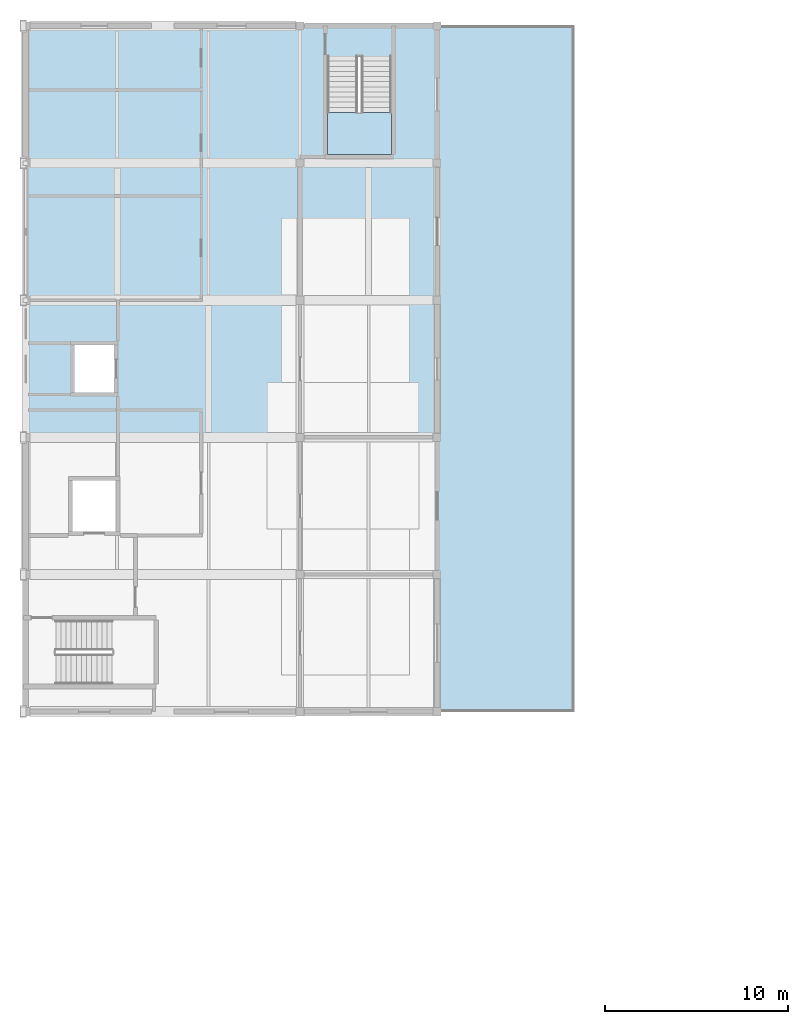
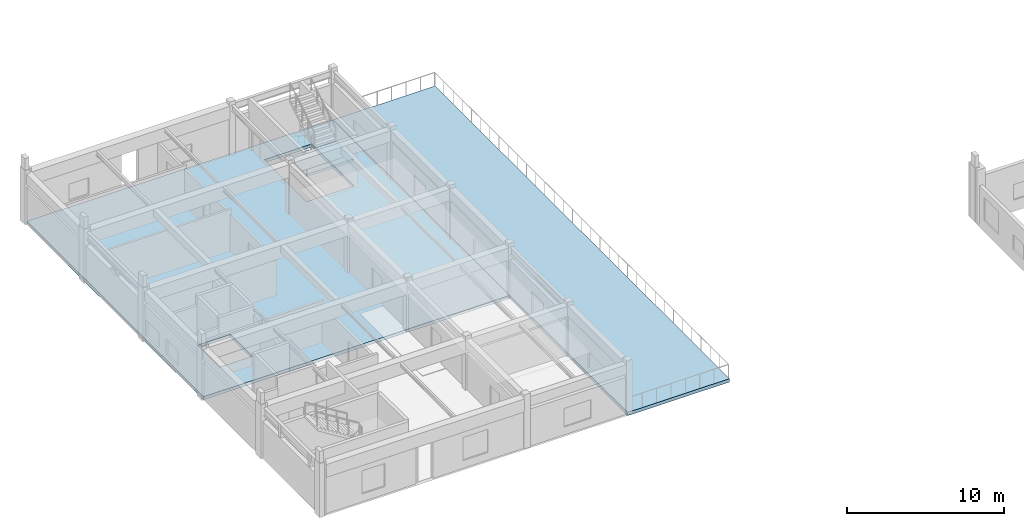
# One storey, part 27 of 51: 3 slabs, 1 element without a shape of its own.
"""IFC4 building model written with IfcOpenShell, lengths in metres."""

from ifc_helpers import new_model, si_unit, direction, frame, origin, place, context, subcontext, project, spatial, polyline, outline, extrude, material, layer, layer_set, type_object, element, aggregate, save


model = new_model("IFC4")

# Units and contexts
model_context = context("Model", 3, precision=1e-05, world=origin(), true_north=direction((0.0, 1.0)))
body_context = subcontext(model_context, "Body", "Model", "MODEL_VIEW")
ifc_project = project(units=[si_unit("LENGTHUNIT", "METRE"), si_unit("AREAUNIT", "SQUARE_METRE"), si_unit("VOLUMEUNIT", "CUBIC_METRE"), si_unit("PLANEANGLEUNIT", "RADIAN"), si_unit("MASSUNIT", "GRAM", prefix="KILO")], contexts=[model_context])

# Site, building, storey
site_placement = place(None, origin())
site = spatial("IfcSite", under=ifc_project, at=site_placement, CompositionType="ELEMENT")
building_placement = place(site_placement, origin())
building = spatial("IfcBuilding", under=site, at=building_placement, Name="Qasida Concert Hall", CompositionType="ELEMENT")
storey_placement = place(building_placement, frame((0.0, 0.0, 21.0)))
storey = spatial("IfcBuildingStorey", under=building, at=storey_placement, Name="L05", CompositionType="ELEMENT", Elevation=21.0)

# Slab
ifc_material = material(Name="Concrete C40/50", Category="concrete")
ifc_layer_1 = layer(ifc_material, 0.239990234375, Name="Concrete C40/50")
ifc_layer_set_1 = layer_set([ifc_layer_1], Name="Concrete C40/50")
slab_type_1 = type_object("IfcSlabType", Name="SL-FS-240", PredefinedType="FLOOR", material=ifc_layer_set_1)
slab_1_placement = place(storey_placement, frame((0.0, 0.0, -0.239990234375)))
element("IfcSlab", 1, at=slab_1_placement, inside=storey, type_object=slab_type_1, Name="V5 boardroom & archive north (FS-240)", PredefinedType="FLOOR", context=body_context, shape_type="SweptSolid", body=[
    extrude(outline(polyline([(0.0, 90.0), (22.5, 90.0), (22.5, 112.5), (0.0, 112.5), (0.0, 90.0)]), holes=[polyline([(2.550048828125, 92.35009765625), (4.949951171875, 92.35009765625), (4.949951171875, 95.14990234375), (2.550048828125, 95.14990234375), (2.550048828125, 92.35009765625)]), polyline([(16.5, 105.47998046875), (20.0, 105.47998046875), (20.0, 110.840087890625), (16.5, 110.840087890625), (16.5, 105.47998046875)])]), origin(), (0.0, 0.0, 1.0), 0.239990234375),
])

# Stair, slab
stair_type = type_object("IfcStairType", Name="ST-DL-165", PredefinedType="HALF_TURN_STAIR", material=ifc_material)
stair_placement = place(storey_placement, origin())
stair = element("IfcStair", 2, at=stair_placement, inside=storey, type_object=stair_type, Name="L05 Exit stair ST-06", PredefinedType="HALF_TURN_STAIR")
ifc_layer_2 = layer(ifc_material, 0.199951171875, Name="Concrete C40/50")
ifc_layer_set_2 = layer_set([ifc_layer_2], Name="Concrete C40/50")
slab_type_2 = type_object("IfcSlabType", Name="SL-LND-200", PredefinedType="LANDING", material=ifc_layer_set_2)
slab_2_placement = place(storey_placement, frame((0.0, 0.0, 1.89990234375)))
slab_2 = element("IfcSlab", 3, at=slab_2_placement, type_object=slab_type_2, Name="ST-06 landing 1", PredefinedType="LANDING", context=body_context, shape_type="SweptSolid", body=[
    extrude(outline(polyline([(16.5, 107.77001953125), (16.5, 105.47998046875), (20.0, 105.47998046875), (20.0, 107.77001953125), (16.5, 107.77001953125)])), origin(), (0.0, 0.0, 1.0), 0.2001953125),
])
aggregate(stair, [slab_2])

# Slab
ifc_layer_3 = layer(ifc_material, 0.260009765625, Name="Concrete C40/50")
ifc_layer_set_3 = layer_set([ifc_layer_3], Name="Concrete C40/50")
slab_type_3 = type_object("IfcSlabType", Name="SL-TS-260", PredefinedType="ROOF", material=ifc_layer_set_3)
slab_3_placement = place(storey_placement, frame((0.0, 0.0, -0.260009765625)))
element("IfcSlab", 4, at=slab_3_placement, inside=storey, type_object=slab_type_3, Name="V5 west wing roof garden terrace (TS-260)", PredefinedType="ROOF", context=body_context, shape_type="SweptSolid", body=[
    extrude(outline(polyline([(22.5, 75.0), (30.0, 75.0), (30.0, 112.5), (22.5, 112.5), (22.5, 75.0)])), origin(), (0.0, 0.0, 1.0), 0.260009765625),
])

save(model, "model.ifc")
